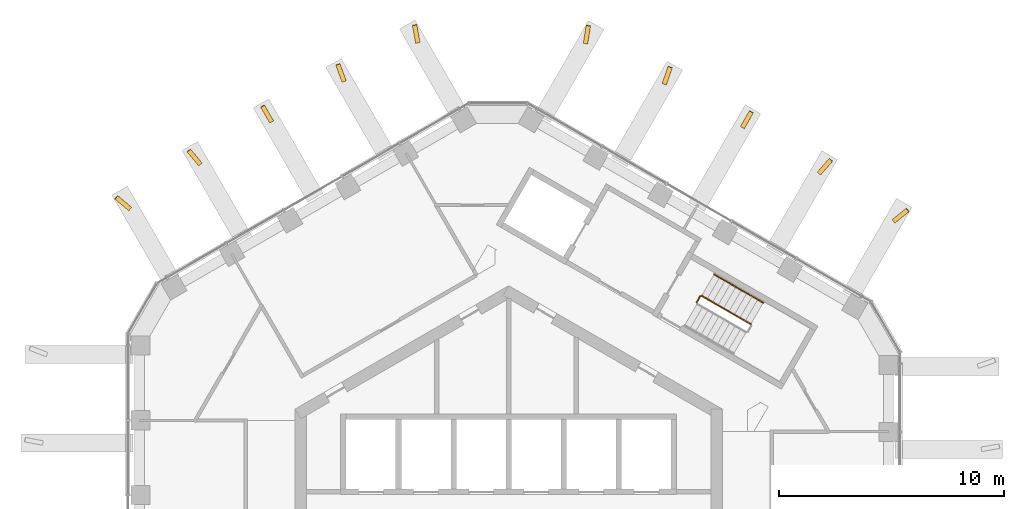
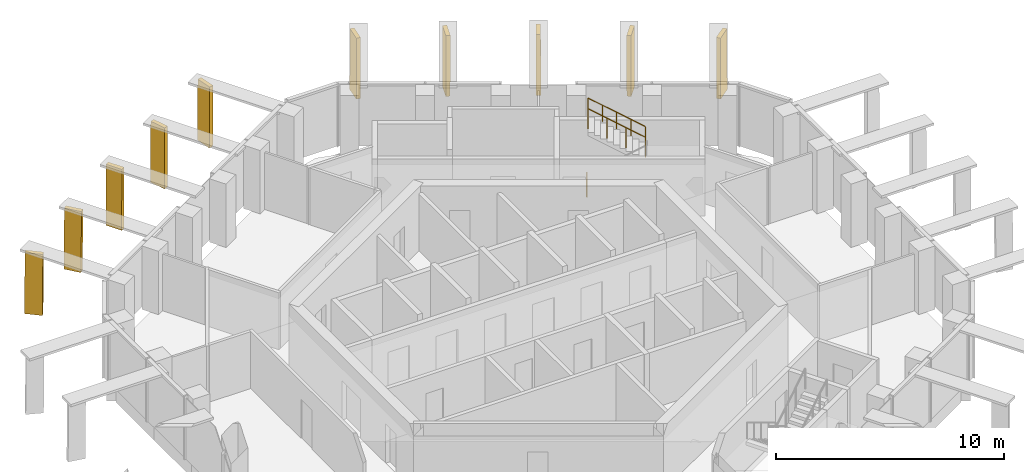
# One storey, part 17 of 17: 10 shading devices, 4 railings.
"""IFC4 building model written with IfcOpenShell, lengths in metres."""

from ifc_helpers import new_model, si_unit, direction, frame, origin, origin_2d, place, context, subcontext, project, spatial, polyline, circle, outline, extrude, material, layer, layer_set, type_object, element, save


model = new_model("IFC4")

# Units and contexts
model_context = context("Model", 3, precision=1e-05, world=origin(), true_north=direction((0.0, 1.0)))
body_context = subcontext(model_context, "Body", "Model", "MODEL_VIEW")
ifc_project = project(units=[si_unit("LENGTHUNIT", "METRE"), si_unit("AREAUNIT", "SQUARE_METRE"), si_unit("VOLUMEUNIT", "CUBIC_METRE"), si_unit("PLANEANGLEUNIT", "RADIAN"), si_unit("MASSUNIT", "GRAM", prefix="KILO")], contexts=[model_context])

# Site, building, storey
site_placement = place(None, origin())
site = spatial("IfcSite", under=ifc_project, at=site_placement, CompositionType="ELEMENT")
building_placement = place(site_placement, origin())
building = spatial("IfcBuilding", under=site, at=building_placement, Name="Ayvan Gate Tower", CompositionType="ELEMENT")
storey_placement = place(building_placement, frame((0.0, 0.0, 246.10009765625)))
storey = spatial("IfcBuildingStorey", under=building, at=storey_placement, Name="L66", CompositionType="ELEMENT", Elevation=246.10009765625)

# Shading devices
ifc_material_1 = material(Name="Bronze anodised aluminium", Category="aluminium")
ifc_layer = layer(ifc_material_1, 0.199951171875)
ifc_layer_set = layer_set([ifc_layer], Name="Bronze anodised aluminium")
shading_device_type = type_object("IfcShadingDeviceType", Name="Crown frame rib 800 x 200", PredefinedType="USERDEFINED", material=ifc_layer_set)
shading_device_1_placement = place(storey_placement, frame((-3.94189453125, 21.806884765625, 0.0), z_axis=(0.983236337961, 0.182335106124, 0.000461288693), x_axis=(-0.182335125492, 0.983236442577, -6.9206e-08)))
element("IfcShadingDevice", 1, at=shading_device_1_placement, inside=storey, type_object=shading_device_type, Name="CROWN FRAME rib FR04.3.1", ObjectType="FIN", PredefinedType="USERDEFINED", context=body_context, shape_type="SweptSolid", body=[
    extrude(outline(polyline([(0.0, 0.0), (0.8000102265386649, 0.0), (0.7764757259076994, 3.27978555893528), (-0.02357901604246244, 3.2797854482007893), (0.0, 0.0)])), origin(), (0.0, 0.0, -1.0), 0.199951171875),
])
shading_device_2_placement = place(storey_placement, frame((-7.22998046875, 20.108154296875, 0.0), z_axis=(0.939427424577, 0.342747562638, 0.000471442038), x_axis=(-0.342747600727, 0.939427528975, 0.0)))
element("IfcShadingDevice", 2, at=shading_device_2_placement, inside=storey, type_object=shading_device_type, Name="CROWN FRAME rib FR04.3.2", ObjectType="FIN", PredefinedType="USERDEFINED", context=body_context, shape_type="SweptSolid", body=[
    extrude(outline(polyline([(0.0, 0.0), (0.7999178441897365, -1.3552527156068805e-20), (0.7778722179595146, 3.279785520728641), (-0.022045626230221944, 3.279785520728641), (0.0, 0.0)])), origin(), (0.0, 0.0, -1.0), 0.199951171875),
])
shading_device_3_placement = place(storey_placement, frame((-10.464599609375, 18.324951171875, 0.0), z_axis=(0.866027963966, 0.499995355517, 0.000458356147), x_axis=(-0.499995408015, 0.866028054952, -6.057e-08)))
element("IfcShadingDevice", 3, at=shading_device_3_placement, inside=storey, type_object=shading_device_type, Name="CROWN FRAME rib FR04.3.3", ObjectType="FIN", PredefinedType="USERDEFINED", context=body_context, shape_type="SweptSolid", body=[
    extrude(outline(polyline([(0.0, 0.0), (0.7999951411821997, -2.710505431213761e-20), (0.7786531354343097, 3.279785547938715), (-0.021464074939299988, 3.279785451019875), (0.0, 0.0)])), origin(), (0.0, 0.0, -1.0), 0.199951171875),
])
shading_device_4_placement = place(storey_placement, frame((-13.64599609375, 16.443603515625, 0.0), z_axis=(0.766617838348, 0.642103476068, 0.000464702123), x_axis=(-0.642103545399, 0.766617921123, 0.0)))
element("IfcShadingDevice", 4, at=shading_device_4_placement, inside=storey, type_object=shading_device_type, Name="CROWN FRAME rib FR04.3.4", ObjectType="FIN", PredefinedType="USERDEFINED", context=body_context, shape_type="SweptSolid", body=[
    extrude(outline(polyline([(0.0, 0.0), (0.7999829290476004, 0.0), (0.7780115920973847, 3.279785510381683), (-0.021971336950215775, 3.279785510381683), (0.0, 0.0)])), origin(), (0.0, 0.0, -1.0), 0.199951171875),
])
shading_device_5_placement = place(storey_placement, frame((-16.784423828125, 14.46923828125, 0.0), z_axis=(0.649382856174, 0.760461502625, 0.000457310079), x_axis=(-0.760461582144, 0.649382924078, 0.0)))
element("IfcShadingDevice", 5, at=shading_device_5_placement, inside=storey, type_object=shading_device_type, Name="CROWN FRAME rib FR04.3.5", ObjectType="FIN", PredefinedType="USERDEFINED", context=body_context, shape_type="SweptSolid", body=[
    extrude(outline(polyline([(0.0, 0.0), (0.8000383606296664, 0.0), (0.776605620131348, 3.2797854992049023), (-0.023432740498318304, 3.2797854992049023), (0.0, 0.0)])), origin(), (0.0, 0.0, -1.0), 0.199951171875),
])
shading_device_6_placement = place(storey_placement, frame((17.19775390625, 13.767822265625, 0.0), z_axis=(0.62837255712, -0.777912408014, 0.000463590667), x_axis=(0.777912491607, 0.628372624644, 0.0)))
element("IfcShadingDevice", 6, at=shading_device_6_placement, inside=storey, type_object=shading_device_type, Name="CROWN FRAME rib FR04.2.1", ObjectType="FIN", PredefinedType="USERDEFINED", context=body_context, shape_type="SweptSolid", body=[
    extrude(outline(polyline([(0.0, 0.0), (0.7999800232538845, -2.710505431213761e-20), (0.7767286392937396, 3.2797855086897125), (-0.02325138396014504, 3.2797855086897125), (0.0, 0.0)])), origin(), (0.0, 0.0, -1.0), 0.199951171875),
])
shading_device_7_placement = place(storey_placement, frame((13.8896484375, 15.90673828125, 0.0), z_axis=(0.756232483281, -0.654302842677, 0.000470421149), x_axis=(0.654302915074, 0.756232566956, 0.0)))
element("IfcShadingDevice", 7, at=shading_device_7_placement, inside=storey, type_object=shading_device_type, Name="CROWN FRAME rib FR04.2.2", ObjectType="FIN", PredefinedType="USERDEFINED", context=body_context, shape_type="SweptSolid", body=[
    extrude(outline(polyline([(0.0, 0.0), (0.7999926149504255, 0.0), (0.778641736072033, 3.2797855191518233), (-0.02135087887839252, 3.2797855191518233), (0.0, 0.0)])), origin(), (0.0, 0.0, -1.0), 0.199951171875),
])
shading_device_8_placement = place(storey_placement, frame((10.4892578125, 17.96826171875, 0.0), z_axis=(0.865923723986, -0.500175853256, 0.000469103848), x_axis=(0.500175908275, 0.865923819271, 3.5797e-08)))
element("IfcShadingDevice", 8, at=shading_device_8_placement, inside=storey, type_object=shading_device_type, Name="CROWN FRAME rib FR04.2.3", ObjectType="FIN", PredefinedType="USERDEFINED", context=body_context, shape_type="SweptSolid", body=[
    extrude(outline(polyline([(0.0, 0.0), (0.8001172150279496, 5.421010862427522e-20), (0.7792459860565462, 3.2797854892274625), (-0.020659821788964226, 3.2797855465036942), (0.0, 0.0)])), origin(), (0.0, 0.0, -1.0), 0.199951171875),
])
shading_device_9_placement = place(storey_placement, frame((7.01953125, 19.916748046875, 0.0), z_axis=(0.944720835423, -0.327875496661, 0.000449229834), x_axis=(0.327875529717, 0.944720930758, 6.4754e-08)))
element("IfcShadingDevice", 9, at=shading_device_9_placement, inside=storey, type_object=shading_device_type, Name="CROWN FRAME rib FR04.2.4", ObjectType="FIN", PredefinedType="USERDEFINED", context=body_context, shape_type="SweptSolid", body=[
    extrude(outline(polyline([(0.0, 0.0), (0.8000474415389881, 4.0657581468206416e-20), (0.7786438054313305, 3.279785436772303), (-0.021483683844405063, 3.279785540389993), (0.0, 0.0)])), origin(), (0.0, 0.0, -1.0), 0.199951171875),
])
shading_device_10_placement = place(storey_placement, frame((3.52197265625, 21.74658203125, 0.0), z_axis=(0.98786163454, -0.15533567253, 0.000468875747), x_axis=(0.155335689605, 0.987861743127, 0.0)))
element("IfcShadingDevice", 10, at=shading_device_10_placement, inside=storey, type_object=shading_device_type, Name="CROWN FRAME rib FR04.2.5", ObjectType="FIN", PredefinedType="USERDEFINED", context=body_context, shape_type="SweptSolid", body=[
    extrude(outline(polyline([(0.0, 0.0), (0.7999937325470513, 6.776263578034403e-21), (0.7767678556933977, 3.2797855167713674), (-0.023225876853653616, 3.2797855167713674), (0.0, 0.0)])), origin(), (0.0, 0.0, -1.0), 0.199951171875),
])

# Railings
ifc_material_2 = material(Name="Stainless steel balustrade", Category="steel")
railing_type_1 = type_object("IfcRailingType", Name="RL-GUARD-1100", PredefinedType="GUARDRAIL", material=ifc_material_2)
railing_1_placement = place(storey_placement, frame((10.7685546875, 9.261474609375, 1.869873046875)))
element("IfcRailing", 11, at=railing_1_placement, inside=storey, type_object=railing_type_1, Name="L66 STS1 stair guard 3", PredefinedType="GUARDRAIL", context=body_context, shape_type="SweptSolid", body=[
    extrude(circle(Radius=0.02392578125, at=origin_2d()), frame((0.0, 0.0, 1.076171875), z_axis=(-0.740261155115, 0.427395438142, 0.518986090067), x_axis=(-0.500004791531, -0.866022637375, 0.0)), (0.0, 0.0, 1.0), 2.947998046875),
    extrude(circle(Radius=0.02099609375, at=origin_2d()), origin(), (0.0, 0.0, 1.0), 1.052001953125),
    extrude(circle(Radius=0.02099609375, at=origin_2d()), frame((-0.7275390625, 0.419921875, 0.510009765625)), (0.0, 0.0, 1.0), 1.052001953125),
    extrude(circle(Radius=0.02099609375, at=origin_2d()), frame((-1.454833984375, 0.840087890625, 1.02001953125)), (0.0, 0.0, 1.0), 1.052001953125),
    extrude(circle(Radius=0.02099609375, at=origin_2d()), frame((-2.182373046875, 1.260009765625, 1.530029296875)), (0.0, 0.0, 1.0), 1.052001953125),
])
railing_2_placement = place(storey_placement, frame((8.36279296875, 10.23486328125, 0.0)))
element("IfcRailing", 12, at=railing_2_placement, inside=storey, type_object=railing_type_1, Name="L66 STS1 stair guard 4", PredefinedType="GUARDRAIL", context=body_context, shape_type="SweptSolid", body=[
    extrude(circle(Radius=0.02392578125, at=origin_2d()), frame((0.0, 0.0, 1.076171875), z_axis=(0.500290723946, 0.86585748916, 0.0), x_axis=(-0.86585748916, 0.500290723946, 0.0)), (0.0, 0.0, 1.0), 0.309814453125),
    extrude(circle(Radius=0.02099609375, at=origin_2d()), origin(), (0.0, 0.0, 1.0), 1.052001953125),
    extrude(circle(Radius=0.02099609375, at=origin_2d()), frame((0.155029296875, 0.268310546875, 0.0)), (0.0, 0.0, 1.0), 1.052001953125),
])
railing_type_2 = type_object("IfcRailingType", Name="RL-HANDRAIL-900", PredefinedType="HANDRAIL", material=ifc_material_2)
railing_3_placement = place(storey_placement, frame((11.318603515625, 10.214111328125, 1.869873046875)))
element("IfcRailing", 13, at=railing_3_placement, inside=storey, type_object=railing_type_2, Name="L66 STS1 stair handrail 3", PredefinedType="HANDRAIL", context=body_context, shape_type="SweptSolid", body=[
    extrude(circle(Radius=0.02392578125, at=origin_2d()), frame((0.0, 0.0, 0.8759765625), z_axis=(-0.740240574041, 0.427418550694, 0.518996411419), x_axis=(-0.500035496587, -0.86600490885, 0.0)), (0.0, 0.0, 1.0), 1.474365234375),
    extrude(circle(Radius=0.02099609375, at=origin_2d()), origin(), (0.0, 0.0, 1.0), 0.851806640625),
    extrude(circle(Radius=0.02099609375, at=origin_2d()), frame((-0.545654296875, 0.31494140625, 0.382568359375)), (0.0, 0.0, 1.0), 0.851806640625),
    extrude(circle(Radius=0.02099609375, at=origin_2d()), frame((-1.09130859375, 0.630126953125, 0.76513671875)), (0.0, 0.0, 1.0), 0.851806640625),
])
railing_4_placement = place(storey_placement, frame((10.227294921875, 10.84423828125, 2.635009765625)))
element("IfcRailing", 14, at=railing_4_placement, inside=storey, type_object=railing_type_2, Name="L66 STS1 stair handrail 4", PredefinedType="HANDRAIL", context=body_context, shape_type="SweptSolid", body=[
    extrude(circle(Radius=0.02392578125, at=origin_2d()), frame((0.0, 0.0, 0.8759765625), z_axis=(-0.740356597536, 0.427319915356, 0.518912129772), x_axis=(-0.499890179513, -0.866088799389, 0.0)), (0.0, 0.0, 1.0), 1.47412109375),
    extrude(circle(Radius=0.02099609375, at=origin_2d()), origin(), (0.0, 0.0, 1.0), 0.851806640625),
    extrude(circle(Radius=0.02099609375, at=origin_2d()), frame((-0.545654296875, 0.31494140625, 0.38232421875)), (0.0, 0.0, 1.0), 0.851806640625),
    extrude(circle(Radius=0.02099609375, at=origin_2d()), frame((-1.09130859375, 0.6298828125, 0.764892578125)), (0.0, 0.0, 1.0), 0.851806640625),
])

save(model, "model.ifc")
